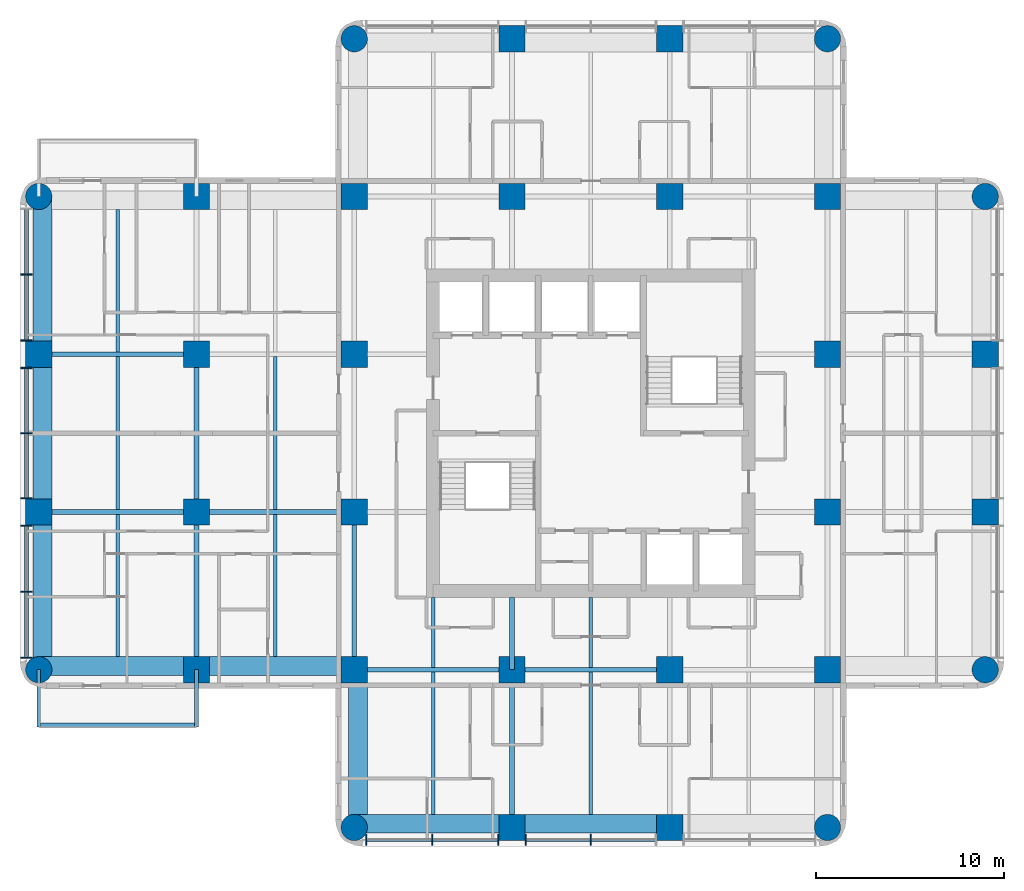
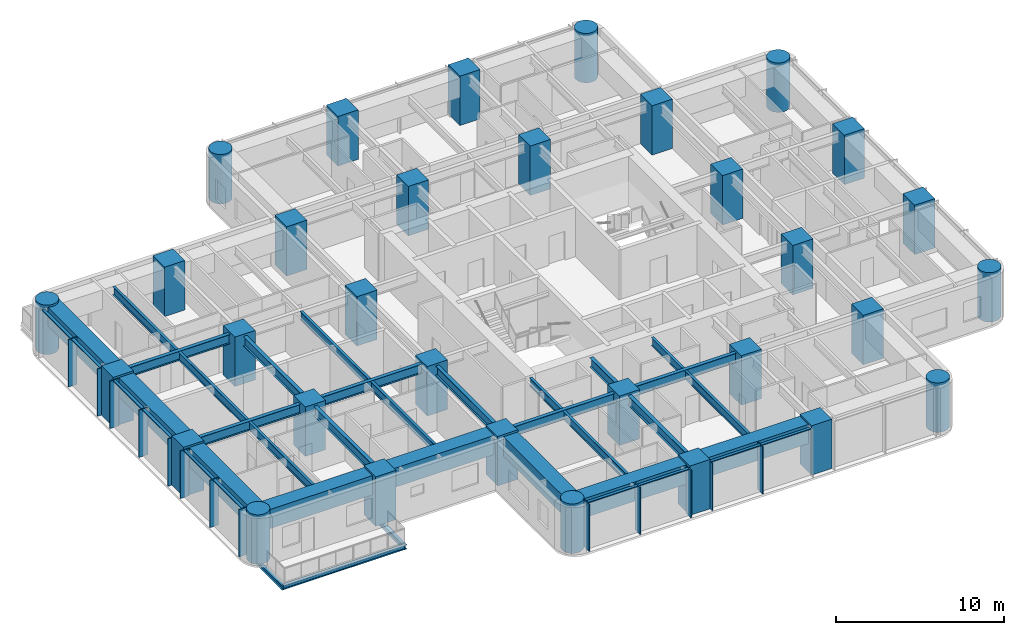
# One storey, part 1 of 11: 32 columns, 30 beams, 23 members, 2 elements without a shape of their own.
"""IFC4 building model written with IfcOpenShell, lengths in metres."""

from ifc_helpers import new_model, si_unit, direction, frame, origin, origin_2d, place, context, subcontext, project, spatial, rectangle, circle, i_section, extrude, material, material_profile, profile_set, type_object, element, aggregate, save


model = new_model("IFC4")

# Units and contexts
model_context = context("Model", 3, precision=1e-05, world=origin(), true_north=direction((0.0, 1.0)))
body_context = subcontext(model_context, "Body", "Model", "MODEL_VIEW")
ifc_project = project(units=[si_unit("LENGTHUNIT", "METRE"), si_unit("AREAUNIT", "SQUARE_METRE"), si_unit("VOLUMEUNIT", "CUBIC_METRE"), si_unit("PLANEANGLEUNIT", "RADIAN"), si_unit("MASSUNIT", "GRAM", prefix="KILO")], contexts=[model_context])

# Site, building, storey
site_placement = place(None, origin())
site = spatial("IfcSite", under=ifc_project, at=site_placement, CompositionType="ELEMENT")
building_placement = place(site_placement, origin())
building = spatial("IfcBuilding", under=site, at=building_placement, Name="Torre Alcanfor", CompositionType="ELEMENT")
storey_placement = place(building_placement, frame((0.0, 0.0, 190.5)))
storey = spatial("IfcBuildingStorey", under=building, at=storey_placement, Name="L49", CompositionType="ELEMENT", Elevation=190.5)

# Columns
ifc_material_1 = material(Name="Concrete f'c 70 MPa", Category="concrete")
ifc_material_profile_1 = material_profile(ifc_material_1, rectangle(XDim=1.39990234375, YDim=1.39990234375, at=origin_2d()), Name="1400x1400")
ifc_profile_set_1 = profile_set([ifc_material_profile_1], Name="Concrete f'c 70 MPa")
column_type_1 = type_object("IfcColumnType", Name="RC column 1400x1400 f'c70", PredefinedType="COLUMN", material=ifc_profile_set_1)
for number, where, z_axis, x_axis, name in (
    (1, (0.0, 25.199951171875, 0.0), (0.0, 0.0, 1.0), (1.0, 0.0, 0.0), "Column 1/F L49"),
    (2, (0.0, 33.60009765625, 0.0), (0.0, 0.0, 1.0), (1.0, 0.0, 0.0), "Column 1/G L49"),
    (3, (8.39990234375, 16.800048828125, 0.0), (0.0, 0.0, 1.0), (1.0, 0.0, 0.0), "Column 2/E L49"),
    (4, (8.39990234375, 25.199951171875, 0.0), (0.0, 0.0, 1.0), (1.0, 0.0, 0.0), "Column 2/F L49"),
    (5, (8.39990234375, 33.60009765625, 0.0), (0.0, 0.0, 1.0), (1.0, 0.0, 0.0), "Column 2/G L49"),
    (6, (8.39990234375, 42.0, 0.0), (0.0, 0.0, 1.0), (1.0, 0.0, 0.0), "Column 2/H L49"),
    (7, (16.800048828125, 16.800048828125, 0.0), (0.0, 0.0, 1.0), (1.0, 0.0, 0.0), "Column 3/E L49"),
    (8, (16.800048828125, 25.199951171875, 0.0), (0.0, 0.0, 1.0), (1.0, 0.0, 0.0), "Column 3/F L49"),
    (9, (16.800048828125, 33.60009765625, 0.0), (0.0, 0.0, 1.0), (1.0, 0.0, 0.0), "Column 3/G L49"),
    (10, (16.800048828125, 42.0, 0.0), (0.0, 0.0, 1.0), (1.0, 0.0, 0.0), "Column 3/H L49"),
    (11, (25.199951171875, 8.39990234375, 0.0), (0.0, 0.0, 1.0), (1.0, 0.0, 0.0), "Column 4/D L49"),
    (12, (25.199951171875, 16.800048828125, 0.0), (0.0, 0.0, 1.0), (1.0, 0.0, 0.0), "Column 4/E L49"),
    (13, (25.199951171875, 42.0, 0.0), (0.0, 0.0, 1.0), (1.0, 0.0, 0.0), "Column 4/H L49"),
    (14, (25.199951171875, 50.39990234375, 0.0), (0.0, 0.0, 1.0), (1.0, 0.0, 0.0), "Column 4/J L49"),
    (15, (33.60009765625, 8.39990234375, 0.0), (0.0, 0.0, 1.0), (1.0, 0.0, 0.0), "Column 5/D L49"),
    (16, (33.60009765625, 16.800048828125, 0.0), (0.0, 0.0, 1.0), (1.0, 0.0, 0.0), "Column 5/E L49"),
    (17, (33.60009765625, 42.0, 0.0), (0.0, 0.0, 1.0), (1.0, 0.0, 0.0), "Column 5/H L49"),
    (18, (33.60009765625, 50.39990234375, 0.0), (0.0, 0.0, 1.0), (1.0, 0.0, 0.0), "Column 5/J L49"),
    (19, (42.0, 16.800048828125, 0.0), (0.0, 0.0, 1.0), (1.0, 0.0, 0.0), "Column 6/E L49"),
    (20, (42.0, 25.199951171875, 0.0), (0.0, 0.0, 1.0), (1.0, 0.0, 0.0), "Column 6/F L49"),
    (21, (42.0, 33.60009765625, 0.0), (0.0, 0.0, 1.0), (1.0, 0.0, 0.0), "Column 6/G L49"),
    (22, (42.0, 42.0, 0.0), (0.0, 0.0, 1.0), (1.0, 0.0, 0.0), "Column 6/H L49"),
    (23, (50.39990234375, 25.199951171875, 0.0), (0.0, 0.0, 1.0), (1.0, 0.0, 0.0), "Column 7/F L49"),
    (24, (50.39990234375, 33.60009765625, 0.0), (0.0, 0.0, 1.0), (1.0, 0.0, 0.0), "Column 7/G L49"),
):
    element("IfcColumn", number, at=place(storey_placement, frame(where, z_axis=z_axis, x_axis=x_axis)), inside=storey, type_object=column_type_1, Name=name, PredefinedType="COLUMN", context=body_context, shape_type="SweptSolid", body=[
        extrude(rectangle(XDim=1.39990234375, YDim=1.39990234375, at=origin_2d()), origin(), (0.0, 0.0, 1.0), 3.60009765625),
    ])
ifc_material_2 = material(Name="Concrete f'c 70 MPa", Category="concrete")
ifc_material_profile_2 = material_profile(ifc_material_2, circle(Radius=0.699951171875, at=origin_2d()), Name="D1400")
ifc_profile_set_2 = profile_set([ifc_material_profile_2], Name="Concrete f'c 70 MPa")
column_type_2 = type_object("IfcColumnType", Name="RC column D1400 f'c70", PredefinedType="COLUMN", material=ifc_profile_set_2)
for number, where, z_axis, x_axis, name in (
    (25, (0.0, 16.800048828125, 0.0), (0.0, 0.0, 1.0), (1.0, 0.0, 0.0), "Column 1/E L49"),
    (26, (0.0, 42.0, 0.0), (0.0, 0.0, 1.0), (1.0, 0.0, 0.0), "Column 1/H L49"),
    (27, (16.800048828125, 8.39990234375, 0.0), (0.0, 0.0, 1.0), (1.0, 0.0, 0.0), "Column 3/D L49"),
    (28, (16.800048828125, 50.39990234375, 0.0), (0.0, 0.0, 1.0), (1.0, 0.0, 0.0), "Column 3/J L49"),
    (29, (42.0, 8.39990234375, 0.0), (0.0, 0.0, 1.0), (1.0, 0.0, 0.0), "Column 6/D L49"),
    (30, (42.0, 50.39990234375, 0.0), (0.0, 0.0, 1.0), (1.0, 0.0, 0.0), "Column 6/J L49"),
    (31, (50.39990234375, 16.800048828125, 0.0), (0.0, 0.0, 1.0), (1.0, 0.0, 0.0), "Column 7/E L49"),
    (32, (50.39990234375, 42.0, 0.0), (0.0, 0.0, 1.0), (1.0, 0.0, 0.0), "Column 7/H L49"),
):
    element("IfcColumn", number, at=place(storey_placement, frame(where, z_axis=z_axis, x_axis=x_axis)), inside=storey, type_object=column_type_2, Name=name, PredefinedType="COLUMN", context=body_context, shape_type="SweptSolid", body=[
        extrude(circle(Radius=0.699951171875, at=origin_2d()), origin(), (0.0, 0.0, 1.0), 3.60009765625),
    ])

# Beams
ifc_material_3 = material(Name="Steel ASTM A992 Grade 50", Category="steel")
ifc_material_profile_3 = material_profile(ifc_material_3, i_section(OverallWidth=0.205322265625, OverallDepth=0.309814453125, WebThickness=0.00927734375, FlangeThickness=0.016357421875, at=origin_2d()), Name="W12x50")
ifc_profile_set_3 = profile_set([ifc_material_profile_3], Name="Steel ASTM A992 Grade 50")
beam_type_1 = type_object("IfcBeamType", Name="Balcony cantilever beam W12x50", PredefinedType="BEAM", material=ifc_profile_set_3)
for number, where, z_axis, x_axis, name in (
    (33, (8.39990234375, 16.800048828125, -0.35498046875), (0.0, -1.0, 0.0), (1.0, 0.0, 0.0), "Balcony cantilever beam L49-W1 1"),
    (34, (0.0, 16.800048828125, -0.35498046875), (0.0, -1.0, 0.0), (1.0, 0.0, 0.0), "Balcony cantilever beam L49-W1 2"),
):
    element("IfcBeam", number, at=place(storey_placement, frame(where, z_axis=z_axis, x_axis=x_axis)), inside=storey, type_object=beam_type_1, Name=name, PredefinedType="BEAM", context=body_context, shape_type="SweptSolid", body=[
        extrude(i_section(OverallWidth=0.205322265625, OverallDepth=0.309814453125, WebThickness=0.00927734375, FlangeThickness=0.016357421875, at=origin_2d()), origin(), (0.0, 0.0, 1.0), 3.050048828125),
    ])
ifc_material_4 = material(Name="Steel ASTM A992 Grade 50", Category="steel")
ifc_material_profile_4 = material_profile(ifc_material_4, i_section(OverallWidth=0.203369140625, OverallDepth=0.30224609375, WebThickness=0.007568359375, FlangeThickness=0.01318359375, at=origin_2d()), Name="W12x40")
ifc_profile_set_4 = profile_set([ifc_material_profile_4], Name="Steel ASTM A992 Grade 50")
beam_type_2 = type_object("IfcBeamType", Name="Balcony edge trimmer W12x40", PredefinedType="BEAM", material=ifc_profile_set_4)
beam_1_placement = place(storey_placement, frame((8.39990234375, 13.851806640625, -0.35107421875), z_axis=(-1.0, 0.0, 0.0), x_axis=(0.0, -1.0, 0.0)))
element("IfcBeam", 35, at=beam_1_placement, inside=storey, type_object=beam_type_2, Name="Balcony edge trimmer L49-W1", PredefinedType="BEAM", context=body_context, shape_type="SweptSolid", body=[
    extrude(i_section(OverallWidth=0.203369140625, OverallDepth=0.30224609375, WebThickness=0.007568359375, FlangeThickness=0.01318359375, at=origin_2d()), origin(), (0.0, 0.0, 1.0), 8.39990234375),
])

# Curtain wall, members
ifc_material_5 = material(Name="Aluminium and glass", Category="aluminium")
curtain_wall_type = type_object("IfcCurtainWallType", Name="CW-A unitised apartment glazing with vertical FIN", PredefinedType="NOTDEFINED", material=ifc_material_5)
curtain_wall_1_placement = place(storey_placement, origin())
curtain_wall_1 = element("IfcCurtainWall", 36, at=curtain_wall_1_placement, inside=storey, type_object=curtain_wall_type, Name="Curtain wall CW-A L49 2", PredefinedType="NOTDEFINED")
ifc_material_6 = material(Name="Bronze anodised aluminium", Category="aluminium")
ifc_material_profile_5 = material_profile(ifc_material_6, rectangle(XDim=0.60009765625, YDim=0.06494140625, at=origin_2d()), Name="CW-A mullion 65x600")
ifc_profile_set_5 = profile_set([ifc_material_profile_5], Name="Bronze anodised aluminium")
member_type_1 = type_object("IfcMemberType", Name="CW-A mullion with vertical FIN 65x600", PredefinedType="MULLION", material=ifc_profile_set_5)
member_1_placement = place(storey_placement, frame((-0.64990234375, 37.846435546875, 0.0), z_axis=(0.0, 0.0, 1.0), x_axis=(1.0, 0.0, 0.0)))
member_1 = element("IfcMember", 37, at=member_1_placement, type_object=member_type_1, Name="CW-A mullion 1.2", PredefinedType="MULLION", context=body_context, shape_type="SweptSolid", body=[
    extrude(rectangle(XDim=0.60009765625, YDim=0.06494140625, at=origin_2d()), origin(), (0.0, 0.0, 1.0), 3.449951171875),
])
member_2_placement = place(storey_placement, frame((-0.64990234375, 34.33740234375, 0.0), z_axis=(0.0, 0.0, 1.0), x_axis=(1.0, 0.0, 0.0)))
member_2 = element("IfcMember", 38, at=member_2_placement, type_object=member_type_1, Name="CW-A mullion 1.3", PredefinedType="MULLION", context=body_context, shape_type="SweptSolid", body=[
    extrude(rectangle(XDim=0.60009765625, YDim=0.06494140625, at=origin_2d()), origin(), (0.0, 0.0, 1.0), 3.449951171875),
])
member_3_placement = place(storey_placement, frame((-0.64990234375, 32.862548828125, 0.0), z_axis=(0.0, 0.0, 1.0), x_axis=(1.0, 0.0, 0.0)))
member_3 = element("IfcMember", 39, at=member_3_placement, type_object=member_type_1, Name="CW-A mullion 2.1", PredefinedType="MULLION", context=body_context, shape_type="SweptSolid", body=[
    extrude(rectangle(XDim=0.60009765625, YDim=0.06494140625, at=origin_2d()), origin(), (0.0, 0.0, 1.0), 3.449951171875),
])
member_4_placement = place(storey_placement, frame((-0.64990234375, 29.39990234375, 0.0), z_axis=(0.0, 0.0, 1.0), x_axis=(1.0, 0.0, 0.0)))
member_4 = element("IfcMember", 40, at=member_4_placement, type_object=member_type_1, Name="CW-A mullion 2.2", PredefinedType="MULLION", context=body_context, shape_type="SweptSolid", body=[
    extrude(rectangle(XDim=0.60009765625, YDim=0.06494140625, at=origin_2d()), origin(), (0.0, 0.0, 1.0), 3.449951171875),
])
member_5_placement = place(storey_placement, frame((-0.64990234375, 25.9375, 0.0), z_axis=(0.0, 0.0, 1.0), x_axis=(1.0, 0.0, 0.0)))
member_5 = element("IfcMember", 41, at=member_5_placement, type_object=member_type_1, Name="CW-A mullion 2.3", PredefinedType="MULLION", context=body_context, shape_type="SweptSolid", body=[
    extrude(rectangle(XDim=0.60009765625, YDim=0.06494140625, at=origin_2d()), origin(), (0.0, 0.0, 1.0), 3.449951171875),
])
member_6_placement = place(storey_placement, frame((-0.64990234375, 24.46240234375, 0.0), z_axis=(0.0, 0.0, 1.0), x_axis=(1.0, 0.0, 0.0)))
member_6 = element("IfcMember", 42, at=member_6_placement, type_object=member_type_1, Name="CW-A mullion 3.1", PredefinedType="MULLION", context=body_context, shape_type="SweptSolid", body=[
    extrude(rectangle(XDim=0.60009765625, YDim=0.06494140625, at=origin_2d()), origin(), (0.0, 0.0, 1.0), 3.449951171875),
])
member_7_placement = place(storey_placement, frame((-0.64990234375, 20.95361328125, 0.0), z_axis=(0.0, 0.0, 1.0), x_axis=(1.0, 0.0, 0.0)))
member_7 = element("IfcMember", 43, at=member_7_placement, type_object=member_type_1, Name="CW-A mullion 3.2", PredefinedType="MULLION", context=body_context, shape_type="SweptSolid", body=[
    extrude(rectangle(XDim=0.60009765625, YDim=0.06494140625, at=origin_2d()), origin(), (0.0, 0.0, 1.0), 3.449951171875),
])
member_8_placement = place(storey_placement, frame((-0.64990234375, 17.444580078125, 0.0), z_axis=(0.0, 0.0, 1.0), x_axis=(1.0, 0.0, 0.0)))
member_8 = element("IfcMember", 44, at=member_8_placement, type_object=member_type_1, Name="CW-A mullion 3.3", PredefinedType="MULLION", context=body_context, shape_type="SweptSolid", body=[
    extrude(rectangle(XDim=0.60009765625, YDim=0.06494140625, at=origin_2d()), origin(), (0.0, 0.0, 1.0), 3.449951171875),
])

curtain_wall_2_placement = place(storey_placement, origin())
curtain_wall_2 = element("IfcCurtainWall", 45, at=curtain_wall_2_placement, inside=storey, type_object=curtain_wall_type, Name="Curtain wall CW-A L49 5", PredefinedType="NOTDEFINED")
member_9_placement = place(storey_placement, frame((17.444580078125, 7.75, 0.0), z_axis=(0.0, 0.0, 1.0), x_axis=(0.0, 1.0, 0.0)))
member_9 = element("IfcMember", 46, at=member_9_placement, type_object=member_type_1, Name="CW-A mullion 1.1", PredefinedType="MULLION", context=body_context, shape_type="SweptSolid", body=[
    extrude(rectangle(XDim=0.60009765625, YDim=0.06494140625, at=origin_2d()), origin(), (0.0, 0.0, 1.0), 3.449951171875),
])
member_10_placement = place(storey_placement, frame((20.95361328125, 7.75, 0.0), z_axis=(0.0, 0.0, 1.0), x_axis=(0.0, 1.0, 0.0)))
member_10 = element("IfcMember", 47, at=member_10_placement, type_object=member_type_1, Name="CW-A mullion 1.2", PredefinedType="MULLION", context=body_context, shape_type="SweptSolid", body=[
    extrude(rectangle(XDim=0.60009765625, YDim=0.06494140625, at=origin_2d()), origin(), (0.0, 0.0, 1.0), 3.449951171875),
])
member_11_placement = place(storey_placement, frame((24.46240234375, 7.75, 0.0), z_axis=(0.0, 0.0, 1.0), x_axis=(0.0, 1.0, 0.0)))
member_11 = element("IfcMember", 48, at=member_11_placement, type_object=member_type_1, Name="CW-A mullion 1.3", PredefinedType="MULLION", context=body_context, shape_type="SweptSolid", body=[
    extrude(rectangle(XDim=0.60009765625, YDim=0.06494140625, at=origin_2d()), origin(), (0.0, 0.0, 1.0), 3.449951171875),
])
member_12_placement = place(storey_placement, frame((25.9375, 7.75, 0.0), z_axis=(0.0, 0.0, 1.0), x_axis=(0.0, 1.0, 0.0)))
member_12 = element("IfcMember", 49, at=member_12_placement, type_object=member_type_1, Name="CW-A mullion 2.1", PredefinedType="MULLION", context=body_context, shape_type="SweptSolid", body=[
    extrude(rectangle(XDim=0.60009765625, YDim=0.06494140625, at=origin_2d()), origin(), (0.0, 0.0, 1.0), 3.449951171875),
])
member_13_placement = place(storey_placement, frame((29.39990234375, 7.75, 0.0), z_axis=(0.0, 0.0, 1.0), x_axis=(0.0, 1.0, 0.0)))
member_13 = element("IfcMember", 50, at=member_13_placement, type_object=member_type_1, Name="CW-A mullion 2.2", PredefinedType="MULLION", context=body_context, shape_type="SweptSolid", body=[
    extrude(rectangle(XDim=0.60009765625, YDim=0.06494140625, at=origin_2d()), origin(), (0.0, 0.0, 1.0), 3.449951171875),
])

# Member
ifc_material_7 = material(Name="Extruded aluminium", Category="aluminium")
ifc_material_profile_6 = material_profile(ifc_material_7, rectangle(XDim=0.199951171875, YDim=0.06494140625, at=origin_2d()), Name="CW-A transom 200x65")
ifc_profile_set_6 = profile_set([ifc_material_profile_6], Name="Extruded aluminium")
member_type_2 = type_object("IfcMemberType", Name="CW-A transom 65x200", PredefinedType="USERDEFINED", material=ifc_profile_set_6)
member_14_placement = place(storey_placement, frame((-0.64990234375, 41.322998046875, 3.41748046875), z_axis=(0.0, -1.0, 0.0), x_axis=(1.0, 0.0, 0.0)))
member_14 = element("IfcMember", 51, at=member_14_placement, type_object=member_type_2, Name="CW-A transom 1.1.2", ObjectType="TRANSOM", PredefinedType="USERDEFINED", context=body_context, shape_type="SweptSolid", body=[
    extrude(rectangle(XDim=0.199951171875, YDim=0.06494140625, at=origin_2d()), origin(), (0.0, 0.0, 1.0), 3.444091796875),
])

member_15_placement = place(storey_placement, frame((-0.64990234375, 37.81396484375, 3.41748046875), z_axis=(0.0, -1.0, 0.0), x_axis=(1.0, 0.0, 0.0)))
member_15 = element("IfcMember", 52, at=member_15_placement, type_object=member_type_2, Name="CW-A transom 1.2.2", ObjectType="TRANSOM", PredefinedType="USERDEFINED", context=body_context, shape_type="SweptSolid", body=[
    extrude(rectangle(XDim=0.199951171875, YDim=0.06494140625, at=origin_2d()), origin(), (0.0, 0.0, 1.0), 3.44384765625),
])

member_16_placement = place(storey_placement, frame((-0.64990234375, 32.830078125, 3.41748046875), z_axis=(0.0, -1.0, 0.0), x_axis=(1.0, 0.0, 0.0)))
member_16 = element("IfcMember", 53, at=member_16_placement, type_object=member_type_2, Name="CW-A transom 2.1.2", ObjectType="TRANSOM", PredefinedType="USERDEFINED", context=body_context, shape_type="SweptSolid", body=[
    extrude(rectangle(XDim=0.199951171875, YDim=0.06494140625, at=origin_2d()), origin(), (0.0, 0.0, 1.0), 3.3974609375),
])

member_17_placement = place(storey_placement, frame((-0.64990234375, 29.367431640625, 3.41748046875), z_axis=(0.0, -1.0, 0.0), x_axis=(1.0, 0.0, 0.0)))
member_17 = element("IfcMember", 54, at=member_17_placement, type_object=member_type_2, Name="CW-A transom 2.2.2", ObjectType="TRANSOM", PredefinedType="USERDEFINED", context=body_context, shape_type="SweptSolid", body=[
    extrude(rectangle(XDim=0.199951171875, YDim=0.06494140625, at=origin_2d()), origin(), (0.0, 0.0, 1.0), 3.3974609375),
])

member_18_placement = place(storey_placement, frame((-0.64990234375, 24.429931640625, 3.41748046875), z_axis=(0.0, -1.0, 0.0), x_axis=(1.0, 0.0, 0.0)))
member_18 = element("IfcMember", 55, at=member_18_placement, type_object=member_type_2, Name="CW-A transom 3.1.2", ObjectType="TRANSOM", PredefinedType="USERDEFINED", context=body_context, shape_type="SweptSolid", body=[
    extrude(rectangle(XDim=0.199951171875, YDim=0.06494140625, at=origin_2d()), origin(), (0.0, 0.0, 1.0), 3.44384765625),
])

member_19_placement = place(storey_placement, frame((-0.64990234375, 20.9208984375, 3.41748046875), z_axis=(0.0, -1.0, 0.0), x_axis=(1.0, 0.0, 0.0)))
member_19 = element("IfcMember", 56, at=member_19_placement, type_object=member_type_2, Name="CW-A transom 3.2.2", ObjectType="TRANSOM", PredefinedType="USERDEFINED", context=body_context, shape_type="SweptSolid", body=[
    extrude(rectangle(XDim=0.199951171875, YDim=0.06494140625, at=origin_2d()), origin(), (0.0, 0.0, 1.0), 3.44384765625),
])

aggregate(curtain_wall_1, [member_1, member_2, member_14, member_15, member_3, member_4, member_5, member_16, member_17, member_6, member_7, member_8, member_18, member_19])

member_20_placement = place(storey_placement, frame((17.47705078125, 7.75, 3.41748046875), z_axis=(1.0, 0.0, 0.0), x_axis=(0.0, 1.0, 0.0)))
member_20 = element("IfcMember", 57, at=member_20_placement, type_object=member_type_2, Name="CW-A transom 1.1.2", ObjectType="TRANSOM", PredefinedType="USERDEFINED", context=body_context, shape_type="SweptSolid", body=[
    extrude(rectangle(XDim=0.199951171875, YDim=0.06494140625, at=origin_2d()), origin(), (0.0, 0.0, 1.0), 3.44384765625),
])

member_21_placement = place(storey_placement, frame((20.986083984375, 7.75, 3.41748046875), z_axis=(1.0, 0.0, 0.0), x_axis=(0.0, 1.0, 0.0)))
member_21 = element("IfcMember", 58, at=member_21_placement, type_object=member_type_2, Name="CW-A transom 1.2.2", ObjectType="TRANSOM", PredefinedType="USERDEFINED", context=body_context, shape_type="SweptSolid", body=[
    extrude(rectangle(XDim=0.199951171875, YDim=0.06494140625, at=origin_2d()), origin(), (0.0, 0.0, 1.0), 3.44384765625),
])

member_22_placement = place(storey_placement, frame((25.969970703125, 7.75, 3.41748046875), z_axis=(1.0, 0.0, 0.0), x_axis=(0.0, 1.0, 0.0)))
member_22 = element("IfcMember", 59, at=member_22_placement, type_object=member_type_2, Name="CW-A transom 2.1.2", ObjectType="TRANSOM", PredefinedType="USERDEFINED", context=body_context, shape_type="SweptSolid", body=[
    extrude(rectangle(XDim=0.199951171875, YDim=0.06494140625, at=origin_2d()), origin(), (0.0, 0.0, 1.0), 3.3974609375),
])

member_23_placement = place(storey_placement, frame((29.4326171875, 7.75, 3.41748046875), z_axis=(1.0, 0.0, 0.0), x_axis=(0.0, 1.0, 0.0)))
member_23 = element("IfcMember", 60, at=member_23_placement, type_object=member_type_2, Name="CW-A transom 2.2.2", ObjectType="TRANSOM", PredefinedType="USERDEFINED", context=body_context, shape_type="SweptSolid", body=[
    extrude(rectangle(XDim=0.199951171875, YDim=0.06494140625, at=origin_2d()), origin(), (0.0, 0.0, 1.0), 3.3974609375),
])

aggregate(curtain_wall_2, [member_9, member_10, member_11, member_20, member_21, member_12, member_13, member_22, member_23])

# Beams
ifc_material_8 = material(Name="Steel ASTM A992 Grade 50", Category="steel")
ifc_material_profile_7 = material_profile(ifc_material_8, i_section(OverallWidth=0.25390625, OverallDepth=0.683349609375, WebThickness=0.012451171875, FlangeThickness=0.01904296875, at=origin_2d()), Name="W27x94")
ifc_profile_set_7 = profile_set([ifc_material_profile_7], Name="Steel ASTM A992 Grade 50")
beam_type_3 = type_object("IfcBeamType", Name="Girder W27x94", PredefinedType="BEAM", material=ifc_profile_set_7)
beam_2_placement = place(storey_placement, frame((16.800048828125, 16.800048828125, 3.1083984375), z_axis=(1.0, 0.0, 0.0), x_axis=(0.0, 1.0, 0.0)))
element("IfcBeam", 61, at=beam_2_placement, inside=storey, type_object=beam_type_3, Name="Beam 3E-4E under L50", PredefinedType="BEAM", context=body_context, shape_type="SweptSolid", body=[
    extrude(i_section(OverallWidth=0.25390625, OverallDepth=0.683349609375, WebThickness=0.012451171875, FlangeThickness=0.01904296875, at=origin_2d()), origin(), (0.0, 0.0, 1.0), 8.39990234375),
])
beam_3_placement = place(storey_placement, frame((25.199951171875, 16.800048828125, 3.1083984375), z_axis=(1.0, 0.0, 0.0), x_axis=(0.0, 1.0, 0.0)))
element("IfcBeam", 62, at=beam_3_placement, inside=storey, type_object=beam_type_3, Name="Beam 4E-5E under L50", PredefinedType="BEAM", context=body_context, shape_type="SweptSolid", body=[
    extrude(i_section(OverallWidth=0.25390625, OverallDepth=0.683349609375, WebThickness=0.012451171875, FlangeThickness=0.01904296875, at=origin_2d()), origin(), (0.0, 0.0, 1.0), 8.400146484375),
])
beam_4_placement = place(storey_placement, frame((0.0, 25.199951171875, 3.1083984375), z_axis=(1.0, 0.0, 0.0), x_axis=(0.0, 1.0, 0.0)))
element("IfcBeam", 63, at=beam_4_placement, inside=storey, type_object=beam_type_3, Name="Beam 1F-2F under L50", PredefinedType="BEAM", context=body_context, shape_type="SweptSolid", body=[
    extrude(i_section(OverallWidth=0.25390625, OverallDepth=0.683349609375, WebThickness=0.012451171875, FlangeThickness=0.01904296875, at=origin_2d()), origin(), (0.0, 0.0, 1.0), 8.39990234375),
])
beam_5_placement = place(storey_placement, frame((8.39990234375, 25.199951171875, 3.1083984375), z_axis=(1.0, 0.0, 0.0), x_axis=(0.0, 1.0, 0.0)))
element("IfcBeam", 64, at=beam_5_placement, inside=storey, type_object=beam_type_3, Name="Beam 2F-3F under L50", PredefinedType="BEAM", context=body_context, shape_type="SweptSolid", body=[
    extrude(i_section(OverallWidth=0.25390625, OverallDepth=0.683349609375, WebThickness=0.012451171875, FlangeThickness=0.01904296875, at=origin_2d()), origin(), (0.0, 0.0, 1.0), 8.400146484375),
])
for number, where, z_axis, x_axis, name in (
    (65, (0.0, 33.60009765625, 3.1083984375), (1.0, 0.0, 0.0), (0.0, 1.0, 0.0), "Beam 1G-2G under L50"),
    (66, (8.39990234375, 16.800048828125, 3.1083984375), (0.0, 1.0, 0.0), (-1.0, 0.0, 0.0), "Beam 2E-2F under L50"),
):
    element("IfcBeam", number, at=place(storey_placement, frame(where, z_axis=z_axis, x_axis=x_axis)), inside=storey, type_object=beam_type_3, Name=name, PredefinedType="BEAM", context=body_context, shape_type="SweptSolid", body=[
        extrude(i_section(OverallWidth=0.25390625, OverallDepth=0.683349609375, WebThickness=0.012451171875, FlangeThickness=0.01904296875, at=origin_2d()), origin(), (0.0, 0.0, 1.0), 8.39990234375),
    ])
beam_6_placement = place(storey_placement, frame((8.39990234375, 25.199951171875, 3.1083984375), z_axis=(0.0, 1.0, 0.0), x_axis=(-1.0, 0.0, 0.0)))
element("IfcBeam", 67, at=beam_6_placement, inside=storey, type_object=beam_type_3, Name="Beam 2F-2G under L50", PredefinedType="BEAM", context=body_context, shape_type="SweptSolid", body=[
    extrude(i_section(OverallWidth=0.25390625, OverallDepth=0.683349609375, WebThickness=0.012451171875, FlangeThickness=0.01904296875, at=origin_2d()), origin(), (0.0, 0.0, 1.0), 8.400146484375),
])
beam_7_placement = place(storey_placement, frame((16.800048828125, 16.800048828125, 3.1083984375), z_axis=(0.0, 1.0, 0.0), x_axis=(-1.0, 0.0, 0.0)))
element("IfcBeam", 68, at=beam_7_placement, inside=storey, type_object=beam_type_3, Name="Beam 3E-3F under L50", PredefinedType="BEAM", context=body_context, shape_type="SweptSolid", body=[
    extrude(i_section(OverallWidth=0.25390625, OverallDepth=0.683349609375, WebThickness=0.012451171875, FlangeThickness=0.01904296875, at=origin_2d()), origin(), (0.0, 0.0, 1.0), 8.39990234375),
])
beam_8_placement = place(storey_placement, frame((25.199951171875, 8.39990234375, 3.1083984375), z_axis=(0.0, 1.0, 0.0), x_axis=(-1.0, 0.0, 0.0)))
element("IfcBeam", 69, at=beam_8_placement, inside=storey, type_object=beam_type_3, Name="Beam 4D-4E under L50", PredefinedType="BEAM", context=body_context, shape_type="SweptSolid", body=[
    extrude(i_section(OverallWidth=0.25390625, OverallDepth=0.683349609375, WebThickness=0.012451171875, FlangeThickness=0.01904296875, at=origin_2d()), origin(), (0.0, 0.0, 1.0), 8.400146484375),
])
ifc_material_9 = material(Name="Steel ASTM A992 Grade 50", Category="steel")
ifc_material_profile_8 = material_profile(ifc_material_9, i_section(OverallWidth=0.25390625, OverallDepth=0.683349609375, WebThickness=0.012451171875, FlangeThickness=0.01904296875, at=origin_2d()), Name="W27x94")
ifc_profile_set_8 = profile_set([ifc_material_profile_8], Name="Steel ASTM A992 Grade 50")
beam_type_4 = type_object("IfcBeamType", Name="Girder, part bay W27x94", PredefinedType="BEAM", material=ifc_profile_set_8)
beam_9_placement = place(storey_placement, frame((25.199951171875, 16.800048828125, 3.1083984375), z_axis=(0.0, 1.0, 0.0), x_axis=(-1.0, 0.0, 0.0)))
element("IfcBeam", 70, at=beam_9_placement, inside=storey, type_object=beam_type_4, Name="Beam 4E-420_65 under L50", PredefinedType="BEAM", context=body_context, shape_type="SweptSolid", body=[
    extrude(i_section(OverallWidth=0.25390625, OverallDepth=0.683349609375, WebThickness=0.012451171875, FlangeThickness=0.01904296875, at=origin_2d()), origin(), (0.0, 0.0, 1.0), 3.849853515625),
])
ifc_material_10 = material(Name="Concrete f'c 70 MPa", Category="concrete")
ifc_material_profile_9 = material_profile(ifc_material_10, rectangle(XDim=1.0, YDim=1.39990234375, at=origin_2d()), Name="1000x1400")
ifc_profile_set_9 = profile_set([ifc_material_profile_9], Name="Concrete f'c 70 MPa")
beam_type_5 = type_object("IfcBeamType", Name="RC perimeter beam 1000x1400", PredefinedType="BEAM", material=ifc_profile_set_9)
beam_10_placement = place(storey_placement, frame((16.800048828125, 8.60009765625, 2.75), z_axis=(1.0, 0.0, 0.0), x_axis=(0.0, 1.0, 0.0)))
element("IfcBeam", 71, at=beam_10_placement, inside=storey, type_object=beam_type_5, Name="Beam 3D-4D under L50", PredefinedType="BEAM", context=body_context, shape_type="SweptSolid", body=[
    extrude(rectangle(XDim=1.0, YDim=1.39990234375, at=origin_2d()), origin(), (0.0, 0.0, 1.0), 8.27294921875),
])
beam_11_placement = place(storey_placement, frame((25.326904296875, 8.60009765625, 2.75), z_axis=(1.0, 0.0, 0.0), x_axis=(0.0, 1.0, 0.0)))
element("IfcBeam", 72, at=beam_11_placement, inside=storey, type_object=beam_type_5, Name="Beam 4D-5D under L50", PredefinedType="BEAM", context=body_context, shape_type="SweptSolid", body=[
    extrude(rectangle(XDim=1.0, YDim=1.39990234375, at=origin_2d()), origin(), (0.0, 0.0, 1.0), 8.14599609375),
])
beam_12_placement = place(storey_placement, frame((0.0, 17.0, 2.75), z_axis=(1.0, 0.0, 0.0), x_axis=(0.0, 1.0, 0.0)))
element("IfcBeam", 73, at=beam_12_placement, inside=storey, type_object=beam_type_5, Name="Beam 1E-2E under L50", PredefinedType="BEAM", context=body_context, shape_type="SweptSolid", body=[
    extrude(rectangle(XDim=1.0, YDim=1.39990234375, at=origin_2d()), origin(), (0.0, 0.0, 1.0), 8.27294921875),
])
beam_13_placement = place(storey_placement, frame((8.527099609375, 17.0, 2.75), z_axis=(1.0, 0.0, 0.0), x_axis=(0.0, 1.0, 0.0)))
element("IfcBeam", 74, at=beam_13_placement, inside=storey, type_object=beam_type_5, Name="Beam 2E-3E under L50", PredefinedType="BEAM", context=body_context, shape_type="SweptSolid", body=[
    extrude(rectangle(XDim=1.0, YDim=1.39990234375, at=origin_2d()), origin(), (0.0, 0.0, 1.0), 8.14599609375),
])
beam_14_placement = place(storey_placement, frame((0.199951171875, 16.800048828125, 2.75), z_axis=(0.0, 1.0, 0.0), x_axis=(-1.0, 0.0, 0.0)))
element("IfcBeam", 75, at=beam_14_placement, inside=storey, type_object=beam_type_5, Name="Beam 1E-1F under L50", PredefinedType="BEAM", context=body_context, shape_type="SweptSolid", body=[
    extrude(rectangle(XDim=1.0, YDim=1.39990234375, at=origin_2d()), origin(), (0.0, 0.0, 1.0), 8.27294921875),
])
beam_15_placement = place(storey_placement, frame((0.199951171875, 25.326904296875, 2.75), z_axis=(0.0, 1.0, 0.0), x_axis=(-1.0, 0.0, 0.0)))
element("IfcBeam", 76, at=beam_15_placement, inside=storey, type_object=beam_type_5, Name="Beam 1F-1G under L50", PredefinedType="BEAM", context=body_context, shape_type="SweptSolid", body=[
    extrude(rectangle(XDim=1.0, YDim=1.39990234375, at=origin_2d()), origin(), (0.0, 0.0, 1.0), 8.14599609375),
])
beam_16_placement = place(storey_placement, frame((0.199951171875, 33.72705078125, 2.75), z_axis=(0.0, 1.0, 0.0), x_axis=(-1.0, 0.0, 0.0)))
element("IfcBeam", 77, at=beam_16_placement, inside=storey, type_object=beam_type_5, Name="Beam 1G-1H under L50", PredefinedType="BEAM", context=body_context, shape_type="SweptSolid", body=[
    extrude(rectangle(XDim=1.0, YDim=1.39990234375, at=origin_2d()), origin(), (0.0, 0.0, 1.0), 8.27294921875),
])
beam_17_placement = place(storey_placement, frame((17.0, 8.39990234375, 2.75), z_axis=(0.0, 1.0, 0.0), x_axis=(-1.0, 0.0, 0.0)))
element("IfcBeam", 78, at=beam_17_placement, inside=storey, type_object=beam_type_5, Name="Beam 3D-3E under L50", PredefinedType="BEAM", context=body_context, shape_type="SweptSolid", body=[
    extrude(rectangle(XDim=1.0, YDim=1.39990234375, at=origin_2d()), origin(), (0.0, 0.0, 1.0), 8.273193359375),
])
ifc_material_11 = material(Name="Steel ASTM A992 Grade 50", Category="steel")
ifc_material_profile_10 = material_profile(ifc_material_11, i_section(OverallWidth=0.1787109375, OverallDepth=0.60205078125, WebThickness=0.010986328125, FlangeThickness=0.014892578125, at=origin_2d()), Name="W24x62")
ifc_profile_set_10 = profile_set([ifc_material_profile_10], Name="Steel ASTM A992 Grade 50")
beam_type_6 = type_object("IfcBeamType", Name="Secondary beam W24x62", PredefinedType="BEAM", material=ifc_profile_set_10)
beam_18_placement = place(storey_placement, frame((4.199951171875, 17.5, 3.14892578125), z_axis=(0.0, 1.0, 0.0), x_axis=(-1.0, 0.0, 0.0)))
element("IfcBeam", 79, at=beam_18_placement, inside=storey, type_object=beam_type_6, Name="Beam 4_2E-4_2F under L50", PredefinedType="BEAM", context=body_context, shape_type="SweptSolid", body=[
    extrude(i_section(OverallWidth=0.1787109375, OverallDepth=0.60205078125, WebThickness=0.010986328125, FlangeThickness=0.014892578125, at=origin_2d()), origin(), (0.0, 0.0, 1.0), 7.572998046875),
])
beam_19_placement = place(storey_placement, frame((4.199951171875, 25.326904296875, 3.14892578125), z_axis=(0.0, 1.0, 0.0), x_axis=(-1.0, 0.0, 0.0)))
element("IfcBeam", 80, at=beam_19_placement, inside=storey, type_object=beam_type_6, Name="Beam 4_2F-4_2G under L50", PredefinedType="BEAM", context=body_context, shape_type="SweptSolid", body=[
    extrude(i_section(OverallWidth=0.1787109375, OverallDepth=0.60205078125, WebThickness=0.010986328125, FlangeThickness=0.014892578125, at=origin_2d()), origin(), (0.0, 0.0, 1.0), 8.14599609375),
])
for number, where, z_axis, x_axis, name in (
    (81, (4.199951171875, 33.72705078125, 3.14892578125), (0.0, 1.0, 0.0), (-1.0, 0.0, 0.0), "Beam 4_2G-4_2H under L50"),
    (82, (12.60009765625, 17.5, 3.14892578125), (0.0, 1.0, 0.0), (-1.0, 0.0, 0.0), "Beam 12_6E-12_6F under L50"),
):
    element("IfcBeam", number, at=place(storey_placement, frame(where, z_axis=z_axis, x_axis=x_axis)), inside=storey, type_object=beam_type_6, Name=name, PredefinedType="BEAM", context=body_context, shape_type="SweptSolid", body=[
        extrude(i_section(OverallWidth=0.1787109375, OverallDepth=0.60205078125, WebThickness=0.010986328125, FlangeThickness=0.014892578125, at=origin_2d()), origin(), (0.0, 0.0, 1.0), 7.572998046875),
    ])
beam_20_placement = place(storey_placement, frame((12.60009765625, 25.326904296875, 3.14892578125), z_axis=(0.0, 1.0, 0.0), x_axis=(-1.0, 0.0, 0.0)))
element("IfcBeam", 83, at=beam_20_placement, inside=storey, type_object=beam_type_6, Name="Beam 12_6F-12_6G under L50", PredefinedType="BEAM", context=body_context, shape_type="SweptSolid", body=[
    extrude(i_section(OverallWidth=0.1787109375, OverallDepth=0.60205078125, WebThickness=0.010986328125, FlangeThickness=0.014892578125, at=origin_2d()), origin(), (0.0, 0.0, 1.0), 8.14599609375),
])
for number, where, z_axis, x_axis, name in (
    (84, (21.0, 9.10009765625, 3.14892578125), (0.0, 1.0, 0.0), (-1.0, 0.0, 0.0), "Beam 21D-21E under L50"),
    (85, (29.39990234375, 9.10009765625, 3.14892578125), (0.0, 1.0, 0.0), (-1.0, 0.0, 0.0), "Beam 29_4D-29_4E under L50"),
):
    element("IfcBeam", number, at=place(storey_placement, frame(where, z_axis=z_axis, x_axis=x_axis)), inside=storey, type_object=beam_type_6, Name=name, PredefinedType="BEAM", context=body_context, shape_type="SweptSolid", body=[
        extrude(i_section(OverallWidth=0.1787109375, OverallDepth=0.60205078125, WebThickness=0.010986328125, FlangeThickness=0.014892578125, at=origin_2d()), origin(), (0.0, 0.0, 1.0), 7.572998046875),
    ])
ifc_material_12 = material(Name="Steel ASTM A992 Grade 50", Category="steel")
ifc_material_profile_11 = material_profile(ifc_material_12, i_section(OverallWidth=0.1787109375, OverallDepth=0.60205078125, WebThickness=0.010986328125, FlangeThickness=0.014892578125, at=origin_2d()), Name="W24x62")
ifc_profile_set_11 = profile_set([ifc_material_profile_11], Name="Steel ASTM A992 Grade 50")
beam_type_7 = type_object("IfcBeamType", Name="Secondary beam, part bay W24x62", PredefinedType="BEAM", material=ifc_profile_set_11)
for number, where, z_axis, x_axis, name in (
    (86, (21.0, 16.927001953125, 3.14892578125), (0.0, 1.0, 0.0), (-1.0, 0.0, 0.0), "Beam 21E-2120_65 under L50"),
    (87, (29.39990234375, 16.927001953125, 3.14892578125), (0.0, 1.0, 0.0), (-1.0, 0.0, 0.0), "Beam 29_4E-29_420_65 under L50"),
):
    element("IfcBeam", number, at=place(storey_placement, frame(where, z_axis=z_axis, x_axis=x_axis)), inside=storey, type_object=beam_type_7, Name=name, PredefinedType="BEAM", context=body_context, shape_type="SweptSolid", body=[
        extrude(i_section(OverallWidth=0.1787109375, OverallDepth=0.60205078125, WebThickness=0.010986328125, FlangeThickness=0.014892578125, at=origin_2d()), origin(), (0.0, 0.0, 1.0), 3.722900390625),
    ])

save(model, "model.ifc")
